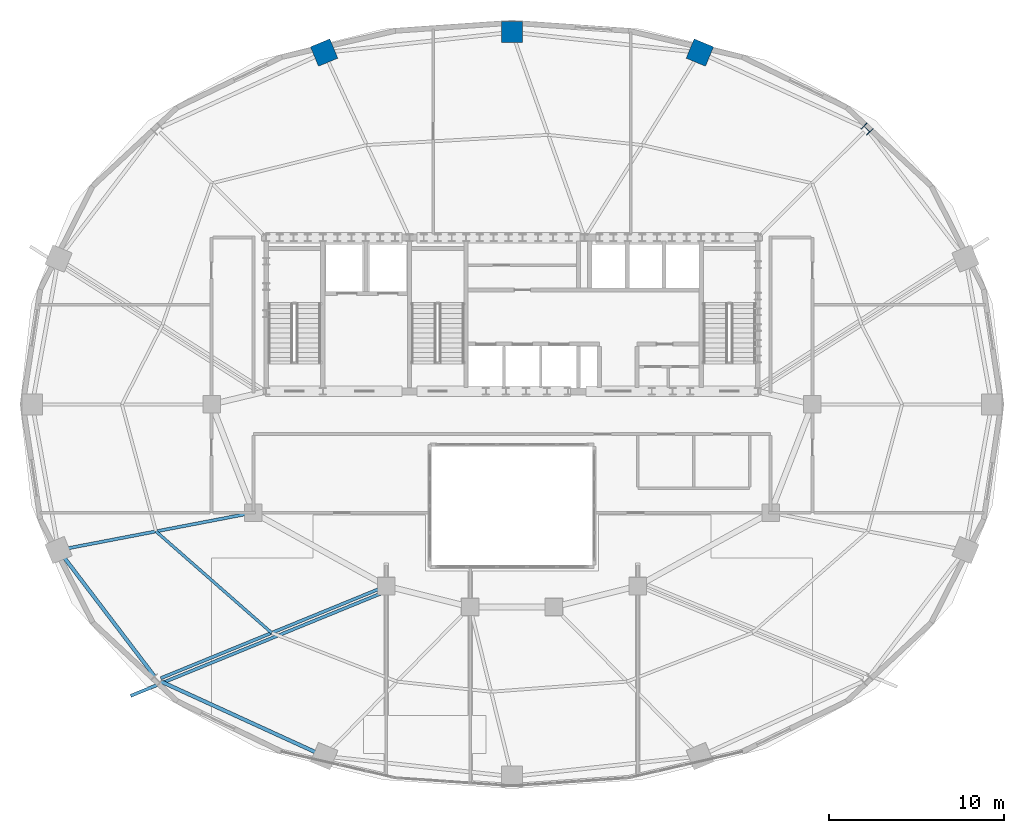
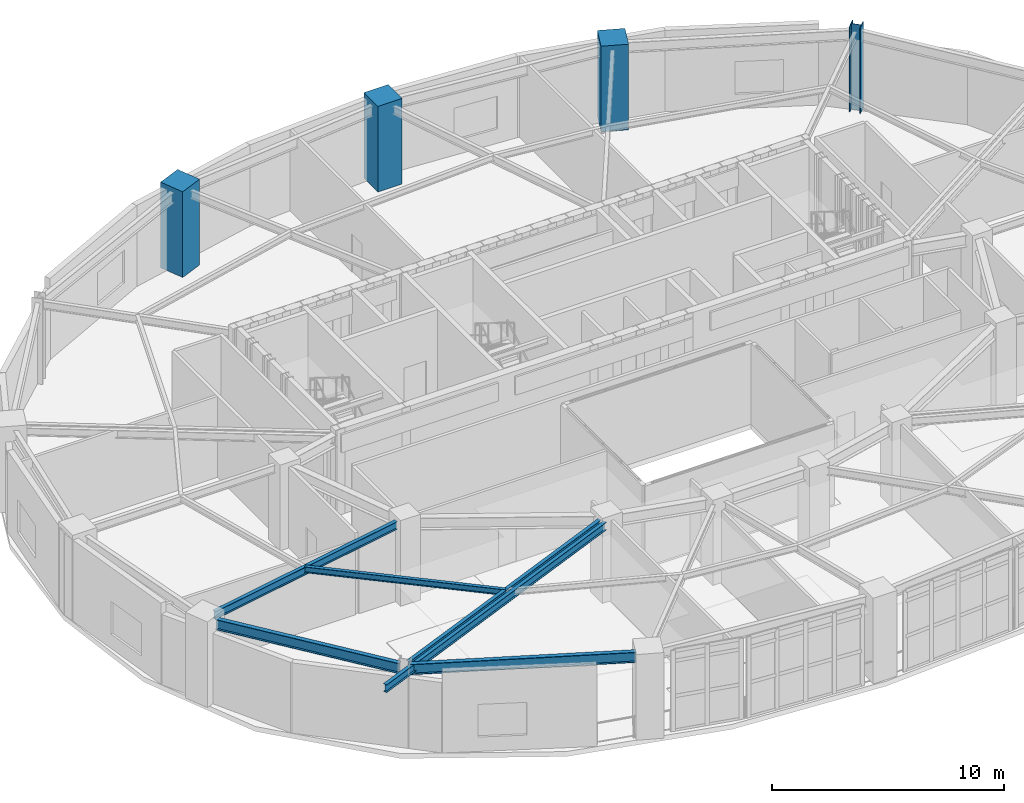
# One storey, part 2 of 13: 6 beams, 4 columns.
"""IFC4 building model written with IfcOpenShell, lengths in metres."""

from ifc_helpers import new_model, si_unit, direction, frame, origin, origin_2d, place, context, subcontext, project, spatial, rectangle, i_section, extrude, material, material_profile, profile_set, type_object, element, save


model = new_model("IFC4")

# Units and contexts
model_context = context("Model", 3, precision=1e-05, world=origin(), true_north=direction((0.0, 1.0)))
body_context = subcontext(model_context, "Body", "Model", "MODEL_VIEW")
ifc_project = project(units=[si_unit("LENGTHUNIT", "METRE"), si_unit("AREAUNIT", "SQUARE_METRE"), si_unit("VOLUMEUNIT", "CUBIC_METRE"), si_unit("PLANEANGLEUNIT", "RADIAN"), si_unit("MASSUNIT", "GRAM", prefix="KILO")], contexts=[model_context])

# Site, building, storey
site_placement = place(None, origin())
site = spatial("IfcSite", under=ifc_project, at=site_placement, CompositionType="ELEMENT")
building_placement = place(site_placement, origin())
building = spatial("IfcBuilding", under=site, at=building_placement, Name="Haldorwick Loom Tower", CompositionType="ELEMENT")
storey_placement = place(building_placement, frame((0.0, 0.0, 188.949951171875)))
storey = spatial("IfcBuildingStorey", under=building, at=storey_placement, Name="L51", CompositionType="ELEMENT", Elevation=188.949951171875)

# Columns
ifc_material_1 = material(Name="Concrete C60 (60 MPa)", Category="concrete")
ifc_material_profile_1 = material_profile(ifc_material_1, rectangle(XDim=1.199951171875, YDim=1.199951171875, at=origin_2d()), Name="RC1200X1200", Category="concrete")
ifc_profile_set_1 = profile_set([ifc_material_profile_1], Name="Concrete C60 (60 MPa)")
column_type_1 = type_object("IfcColumnType", Name="STR-COL-RC1200", PredefinedType="COLUMN", material=ifc_profile_set_1)
for number, where, z_axis, x_axis, name in (
    (1, (46.75341796875, 46.140625, 0.0), (0.0, 0.0, 1.0), (0.382683432365, 0.923879532511, 0.0), "L51 Perimeter Pier Column P04"),
    (2, (36.0, 47.304931640625, 0.0), (0.0, 0.0, 1.0), (0.0, 1.0, 0.0), "L51 Perimeter Pier Column P05"),
    (3, (25.24658203125, 46.140625, 0.0), (0.0, 0.0, 1.0), (-0.382683432365, 0.923879532511, 0.0), "L51 Perimeter Pier Column P06"),
):
    element("IfcColumn", number, at=place(storey_placement, frame(where, z_axis=z_axis, x_axis=x_axis)), inside=storey, type_object=column_type_1, Name=name, PredefinedType="COLUMN", context=body_context, shape_type="SweptSolid", body=[
        extrude(rectangle(XDim=1.199951171875, YDim=1.199951171875, at=origin_2d()), origin(), (0.0, 0.0, 1.0), 4.5),
    ])
ifc_material_2 = material(Name="Steel CSA G40.21 350WT", Category="steel")
ifc_material_profile_2 = material_profile(ifc_material_2, i_section(OverallWidth=0.5, OverallDepth=0.5, WebThickness=0.02197265625, FlangeThickness=0.031982421875, at=origin_2d()), Name="WWF500X500", Category="steel")
ifc_profile_set_2 = profile_set([ifc_material_profile_2], Name="Steel CSA G40.21 350WT")
column_type_2 = type_object("IfcColumnType", Name="STR-COL-WWF500", PredefinedType="COLUMN", material=ifc_profile_set_2)
column_placement = place(storey_placement, frame((56.317626953125, 41.764892578125, 0.0), z_axis=(0.0, 0.0, 1.0), x_axis=(0.707106781187, 0.707106781187, 0.0)))
element("IfcColumn", 4, at=column_placement, inside=storey, type_object=column_type_2, Name="L51 Perimeter Pier Column P03", PredefinedType="COLUMN", context=body_context, shape_type="SweptSolid", body=[
    extrude(i_section(OverallWidth=0.5, OverallDepth=0.5, WebThickness=0.02197265625, FlangeThickness=0.031982421875, at=origin_2d()), origin(), (0.0, 0.0, 1.0), 4.5),
])

# Beams
ifc_material_3 = material(Name="Steel CSA G40.21 350W", Category="steel")
ifc_material_profile_3 = material_profile(ifc_material_3, i_section(OverallWidth=0.179931640625, OverallDepth=0.4130859375, WebThickness=0.009765625, FlangeThickness=0.01611328125, at=origin_2d()), Name="W410X74", Category="steel")
ifc_profile_set_3 = profile_set([ifc_material_profile_3], Name="Steel CSA G40.21 350W")
beam_type_1 = type_object("IfcBeamType", Name="STR-BM-BAL410", PredefinedType="BEAM", material=ifc_profile_set_3)
beam_1_placement = place(storey_placement, frame((28.46630859375, 15.160888671875, 4.053466796875), z_axis=(-0.925585721791, -0.378538071556, 0.0), x_axis=(0.378538071556, -0.925585721791, 0.0)))
element("IfcBeam", 5, at=beam_1_placement, inside=storey, type_object=beam_type_1, Name="L51 Continuous Back-Spanned Balcony Beam 2", PredefinedType="BEAM", context=body_context, shape_type="SweptSolid", body=[
    extrude(i_section(OverallWidth=0.179931640625, OverallDepth=0.4130859375, WebThickness=0.009765625, FlangeThickness=0.01611328125, at=origin_2d()), origin(), (0.0, 0.0, 1.0), 15.447265625),
])
ifc_material_profile_4 = material_profile(ifc_material_3, i_section(OverallWidth=0.166015625, OverallDepth=0.31298828125, WebThickness=0.006591796875, FlangeThickness=0.01123046875, at=origin_2d()), Name="W310X45", Category="steel")
ifc_profile_set_4 = profile_set([ifc_material_profile_4], Name="Steel CSA G40.21 350W")
beam_type_2 = type_object("IfcBeamType", Name="STR-BM-J310", PredefinedType="JOIST", material=ifc_profile_set_4)
beam_2_placement = place(storey_placement, frame((15.619384765625, 18.728759765625, 4.103515625), z_axis=(0.751609427289, -0.659608420815, 0.0), x_axis=(0.659608420815, 0.751609427289, 0.0)))
element("IfcBeam", 6, at=beam_2_placement, inside=storey, type_object=beam_type_2, Name="L51 Mid-Bay Secondary Joist 10", PredefinedType="JOIST", context=body_context, shape_type="SweptSolid", body=[
    extrude(i_section(OverallWidth=0.166015625, OverallDepth=0.31298828125, WebThickness=0.006591796875, FlangeThickness=0.01123046875, at=origin_2d()), origin(), (0.0, 0.0, 1.0), 8.810302734375),
])
ifc_material_profile_5 = material_profile(ifc_material_3, i_section(OverallWidth=0.179931640625, OverallDepth=0.4130859375, WebThickness=0.009765625, FlangeThickness=0.01611328125, at=origin_2d()), Name="W410X74", Category="steel")
ifc_profile_set_5 = profile_set([ifc_material_profile_5], Name="Steel CSA G40.21 350W")
beam_type_3 = type_object("IfcBeamType", Name="STR-BM-J410", PredefinedType="JOIST", material=ifc_profile_set_5)
beam_3_placement = place(storey_placement, frame((20.7333984375, 19.71044921875, 4.053466796875), z_axis=(-0.982069869785, -0.188517295919, 0.0), x_axis=(0.188517295919, -0.982069869785, 0.0)))
element("IfcBeam", 7, at=beam_3_placement, inside=storey, type_object=beam_type_3, Name="L51 Radial Floor Girder 10", PredefinedType="JOIST", context=body_context, shape_type="SweptSolid", body=[
    extrude(i_section(OverallWidth=0.179931640625, OverallDepth=0.4130859375, WebThickness=0.009765625, FlangeThickness=0.01611328125, at=origin_2d()), origin(), (0.0, 0.0, 1.0), 10.36962890625),
])
beam_4_placement = place(storey_placement, frame((28.3603515625, 15.420166015625, 4.053466796875), z_axis=(-0.925583323606, -0.378543935445, 0.0), x_axis=(0.378543935445, -0.925583323606, 0.0)))
element("IfcBeam", 8, at=beam_4_placement, inside=storey, type_object=beam_type_3, Name="L51 Radial Floor Girder 11", PredefinedType="JOIST", context=body_context, shape_type="SweptSolid", body=[
    extrude(i_section(OverallWidth=0.179931640625, OverallDepth=0.4130859375, WebThickness=0.009765625, FlangeThickness=0.01611328125, at=origin_2d()), origin(), (0.0, 0.0, 1.0), 13.47216796875),
])
ifc_material_profile_6 = material_profile(ifc_material_3, i_section(OverallWidth=0.2119140625, OverallDepth=0.5439453125, WebThickness=0.01318359375, FlangeThickness=0.021240234375, at=origin_2d()), Name="W530X123", Category="steel")
ifc_profile_set_6 = profile_set([ifc_material_profile_6], Name="Steel CSA G40.21 350W")
beam_type_4 = type_object("IfcBeamType", Name="STR-BM-SP530", PredefinedType="SPANDREL", material=ifc_profile_set_6)
beam_5_placement = place(storey_placement, frame((10.353759765625, 17.24365234375, 3.988037109375), z_axis=(0.605236944797, -0.796045376001, 0.0), x_axis=(0.796045376001, 0.605236944797, 0.0)))
element("IfcBeam", 9, at=beam_5_placement, inside=storey, type_object=beam_type_4, Name="L51 Perimeter Spandrel 10", PredefinedType="SPANDREL", context=body_context, shape_type="SweptSolid", body=[
    extrude(i_section(OverallWidth=0.2119140625, OverallDepth=0.5439453125, WebThickness=0.01318359375, FlangeThickness=0.021240234375, at=origin_2d()), origin(), (0.0, 0.0, 1.0), 8.5791015625),
])
beam_6_placement = place(storey_placement, frame((15.886962890625, 10.1416015625, 3.988037109375), z_axis=(0.909342182232, -0.416049030299, 0.0), x_axis=(0.416049030299, 0.909342182232, 0.0)))
element("IfcBeam", 10, at=beam_6_placement, inside=storey, type_object=beam_type_4, Name="L51 Perimeter Spandrel 11", PredefinedType="SPANDREL", context=body_context, shape_type="SweptSolid", body=[
    extrude(i_section(OverallWidth=0.2119140625, OverallDepth=0.5439453125, WebThickness=0.01318359375, FlangeThickness=0.021240234375, at=origin_2d()), origin(), (0.0, 0.0, 1.0), 9.772705078125),
])

save(model, "model.ifc")
